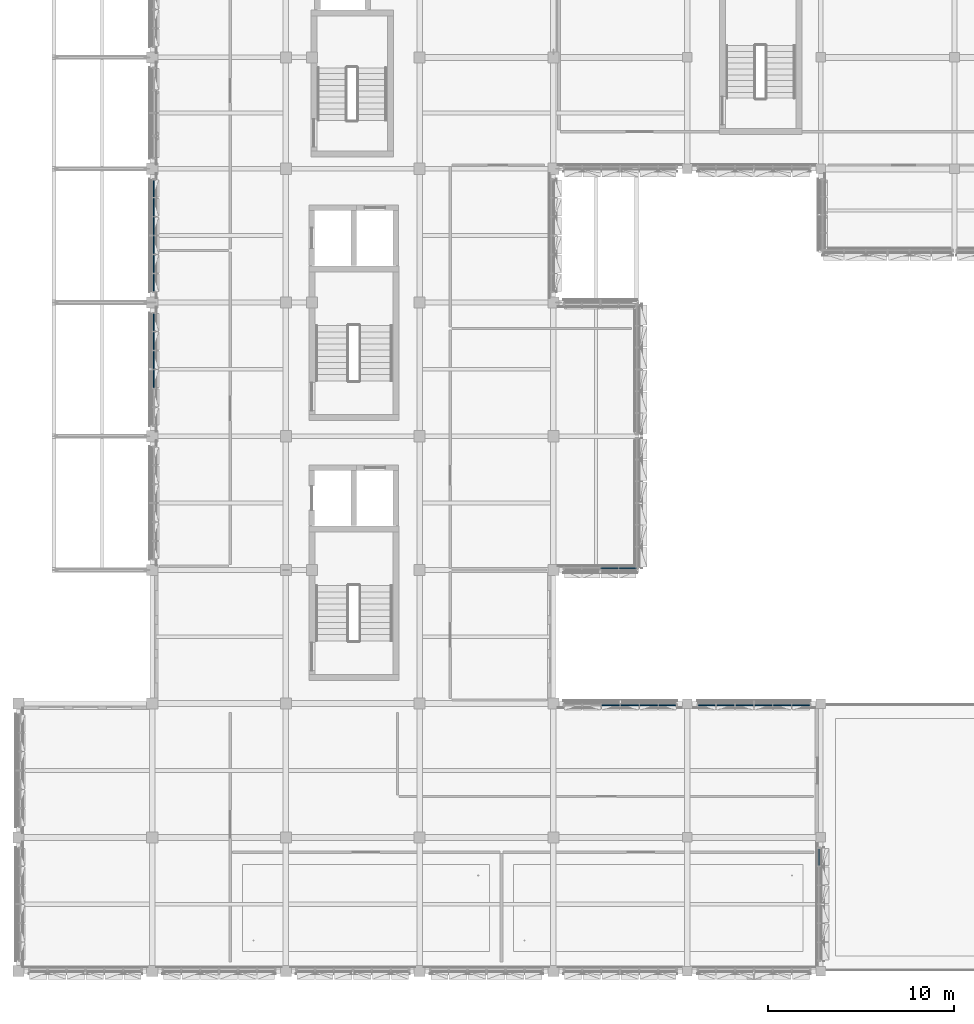
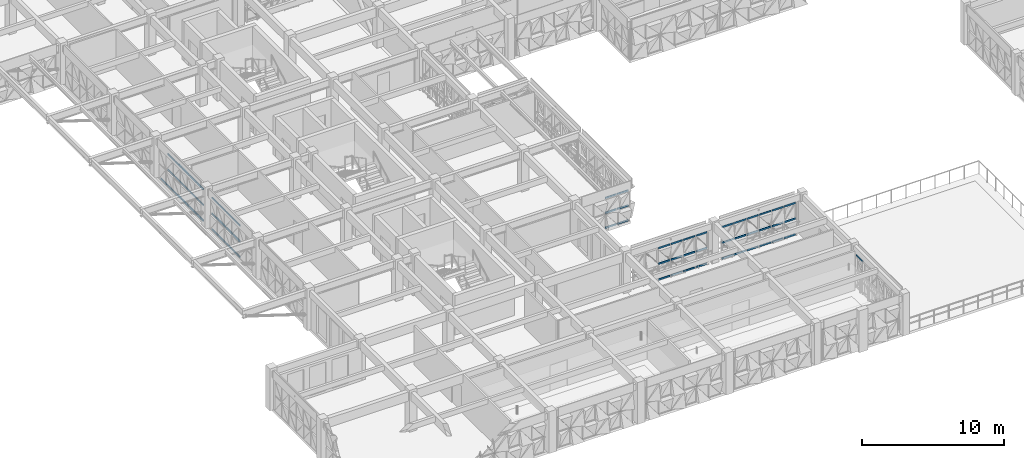
# One storey, part 21 of 99: 65 members, 6 elements without a shape of their own.
"""IFC4 building model written with IfcOpenShell, lengths in metres."""

from ifc_helpers import new_model, si_unit, direction, frame, origin, origin_2d, place, context, subcontext, project, spatial, rectangle, extrude, material, material_profile, profile_set, type_object, element, aggregate, save


model = new_model("IFC4")

# Units and contexts
model_context = context("Model", 3, precision=1e-05, world=origin(), true_north=direction((0.0, 1.0)))
body_context = subcontext(model_context, "Body", "Model", "MODEL_VIEW")
ifc_project = project(units=[si_unit("LENGTHUNIT", "METRE"), si_unit("AREAUNIT", "SQUARE_METRE"), si_unit("VOLUMEUNIT", "CUBIC_METRE"), si_unit("PLANEANGLEUNIT", "RADIAN"), si_unit("MASSUNIT", "GRAM", prefix="KILO")], contexts=[model_context])

# Site, building, storey
site_placement = place(None, origin())
site = spatial("IfcSite", under=ifc_project, at=site_placement, CompositionType="ELEMENT")
building_placement = place(site_placement, origin())
building = spatial("IfcBuilding", under=site, at=building_placement, Name="Alvorim Cloister Faculty of Sciences", CompositionType="ELEMENT")
storey_placement = place(building_placement, frame((0.0, 0.0, 12.14990234375)))
storey = spatial("IfcBuildingStorey", under=building, at=storey_placement, Name="L03", CompositionType="ELEMENT", Elevation=12.14990234375)

# Curtain wall, members
ifc_material_1 = material(Name="Aluminium and Low-E Glass Curtain Wall", Category="aluminium")
curtain_wall_type_1 = type_object("IfcCurtainWallType", Name="CW-TRI-6120x2850", PredefinedType="USERDEFINED", material=ifc_material_1)
curtain_wall_1_placement = place(storey_placement, origin())
curtain_wall_1 = element("IfcCurtainWall", 1, at=curtain_wall_1_placement, inside=storey, type_object=curtain_wall_type_1, Name="L03 Diagonal Cassette Curtain Wall CW-0101", ObjectType="UNITISED CURTAIN WALL", PredefinedType="USERDEFINED")
ifc_material_2 = material(Name="Aluminium Alloy 6063-T6", Category="aluminium")
ifc_material_profile = material_profile(ifc_material_2, rectangle(XDim=0.06494140625, YDim=0.139892578125, at=origin_2d()), Name="ALU-TRN-65x140")
ifc_profile_set = profile_set([ifc_material_profile], Name="Aluminium Alloy 6063-T6")
member_type = type_object("IfcMemberType", Name="CW-TRN-65x140", PredefinedType="USERDEFINED", material=ifc_profile_set)
member_1_placement = place(storey_placement, frame((7.2900390625, 31.41259765625, 0.070068359375), z_axis=(0.0, 1.0, 0.0), x_axis=(-1.0, 0.0, 0.0)))
member_1 = element("IfcMember", 2, at=member_1_placement, type_object=member_type, Name="CW-0101 Transom 3.1", ObjectType="TRANSOM", PredefinedType="USERDEFINED", context=body_context, shape_type="SweptSolid", body=[
    extrude(rectangle(XDim=0.06494140625, YDim=0.139892578125, at=origin_2d()), origin(), (0.0, 0.0, 1.0), 0.954833984375),
])
member_2_placement = place(storey_placement, frame((7.2900390625, 31.41259765625, 1.425048828125), z_axis=(0.0, 1.0, 0.0), x_axis=(-1.0, 0.0, 0.0)))
member_2 = element("IfcMember", 3, at=member_2_placement, type_object=member_type, Name="CW-0101 Transom 3.2", ObjectType="TRANSOM", PredefinedType="USERDEFINED", context=body_context, shape_type="SweptSolid", body=[
    extrude(rectangle(XDim=0.06494140625, YDim=0.139892578125, at=origin_2d()), origin(), (0.0, 0.0, 1.0), 0.954833984375),
])
member_3_placement = place(storey_placement, frame((7.2900390625, 31.41259765625, 2.780029296875), z_axis=(0.0, 1.0, 0.0), x_axis=(-1.0, 0.0, 0.0)))
member_3 = element("IfcMember", 4, at=member_3_placement, type_object=member_type, Name="CW-0101 Transom 3.3", ObjectType="TRANSOM", PredefinedType="USERDEFINED", context=body_context, shape_type="SweptSolid", body=[
    extrude(rectangle(XDim=0.06494140625, YDim=0.139892578125, at=origin_2d()), origin(), (0.0, 0.0, 1.0), 0.954833984375),
])
member_4_placement = place(storey_placement, frame((7.2900390625, 32.4326171875, 0.070068359375), z_axis=(0.0, 1.0, 0.0), x_axis=(-1.0, 0.0, 0.0)))
member_4 = element("IfcMember", 5, at=member_4_placement, type_object=member_type, Name="CW-0101 Transom 4.1", ObjectType="TRANSOM", PredefinedType="USERDEFINED", context=body_context, shape_type="SweptSolid", body=[
    extrude(rectangle(XDim=0.06494140625, YDim=0.139892578125, at=origin_2d()), origin(), (0.0, 0.0, 1.0), 0.954833984375),
])
member_5_placement = place(storey_placement, frame((7.2900390625, 32.4326171875, 1.425048828125), z_axis=(0.0, 1.0, 0.0), x_axis=(-1.0, 0.0, 0.0)))
member_5 = element("IfcMember", 6, at=member_5_placement, type_object=member_type, Name="CW-0101 Transom 4.2", ObjectType="TRANSOM", PredefinedType="USERDEFINED", context=body_context, shape_type="SweptSolid", body=[
    extrude(rectangle(XDim=0.06494140625, YDim=0.139892578125, at=origin_2d()), origin(), (0.0, 0.0, 1.0), 0.954833984375),
])
member_6_placement = place(storey_placement, frame((7.2900390625, 32.4326171875, 2.780029296875), z_axis=(0.0, 1.0, 0.0), x_axis=(-1.0, 0.0, 0.0)))
member_6 = element("IfcMember", 7, at=member_6_placement, type_object=member_type, Name="CW-0101 Transom 4.3", ObjectType="TRANSOM", PredefinedType="USERDEFINED", context=body_context, shape_type="SweptSolid", body=[
    extrude(rectangle(XDim=0.06494140625, YDim=0.139892578125, at=origin_2d()), origin(), (0.0, 0.0, 1.0), 0.954833984375),
])
member_7_placement = place(storey_placement, frame((7.2900390625, 33.452392578125, 0.070068359375), z_axis=(0.0, 1.0, 0.0), x_axis=(-1.0, 0.0, 0.0)))
member_7 = element("IfcMember", 8, at=member_7_placement, type_object=member_type, Name="CW-0101 Transom 5.1", ObjectType="TRANSOM", PredefinedType="USERDEFINED", context=body_context, shape_type="SweptSolid", body=[
    extrude(rectangle(XDim=0.06494140625, YDim=0.139892578125, at=origin_2d()), origin(), (0.0, 0.0, 1.0), 0.955078125),
])
member_8_placement = place(storey_placement, frame((7.2900390625, 33.452392578125, 1.425048828125), z_axis=(0.0, 1.0, 0.0), x_axis=(-1.0, 0.0, 0.0)))
member_8 = element("IfcMember", 9, at=member_8_placement, type_object=member_type, Name="CW-0101 Transom 5.2", ObjectType="TRANSOM", PredefinedType="USERDEFINED", context=body_context, shape_type="SweptSolid", body=[
    extrude(rectangle(XDim=0.06494140625, YDim=0.139892578125, at=origin_2d()), origin(), (0.0, 0.0, 1.0), 0.955078125),
])
member_9_placement = place(storey_placement, frame((7.2900390625, 33.452392578125, 2.780029296875), z_axis=(0.0, 1.0, 0.0), x_axis=(-1.0, 0.0, 0.0)))
member_9 = element("IfcMember", 10, at=member_9_placement, type_object=member_type, Name="CW-0101 Transom 5.3", ObjectType="TRANSOM", PredefinedType="USERDEFINED", context=body_context, shape_type="SweptSolid", body=[
    extrude(rectangle(XDim=0.06494140625, YDim=0.139892578125, at=origin_2d()), origin(), (0.0, 0.0, 1.0), 0.955078125),
])
member_10_placement = place(storey_placement, frame((7.2900390625, 34.472412109375, 0.070068359375), z_axis=(0.0, 1.0, 0.0), x_axis=(-1.0, 0.0, 0.0)))
member_10 = element("IfcMember", 11, at=member_10_placement, type_object=member_type, Name="CW-0101 Transom 6.1", ObjectType="TRANSOM", PredefinedType="USERDEFINED", context=body_context, shape_type="SweptSolid", body=[
    extrude(rectangle(XDim=0.06494140625, YDim=0.139892578125, at=origin_2d()), origin(), (0.0, 0.0, 1.0), 0.922607421875),
])
member_11_placement = place(storey_placement, frame((7.2900390625, 34.472412109375, 1.425048828125), z_axis=(0.0, 1.0, 0.0), x_axis=(-1.0, 0.0, 0.0)))
member_11 = element("IfcMember", 12, at=member_11_placement, type_object=member_type, Name="CW-0101 Transom 6.2", ObjectType="TRANSOM", PredefinedType="USERDEFINED", context=body_context, shape_type="SweptSolid", body=[
    extrude(rectangle(XDim=0.06494140625, YDim=0.139892578125, at=origin_2d()), origin(), (0.0, 0.0, 1.0), 0.922607421875),
])
member_12_placement = place(storey_placement, frame((7.2900390625, 34.472412109375, 2.780029296875), z_axis=(0.0, 1.0, 0.0), x_axis=(-1.0, 0.0, 0.0)))
member_12 = element("IfcMember", 13, at=member_12_placement, type_object=member_type, Name="CW-0101 Transom 6.3", ObjectType="TRANSOM", PredefinedType="USERDEFINED", context=body_context, shape_type="SweptSolid", body=[
    extrude(rectangle(XDim=0.06494140625, YDim=0.139892578125, at=origin_2d()), origin(), (0.0, 0.0, 1.0), 0.922607421875),
])
aggregate(curtain_wall_1, [member_1, member_2, member_3, member_4, member_5, member_6, member_7, member_8, member_9, member_10, member_11, member_12])

curtain_wall_2_placement = place(storey_placement, origin())
curtain_wall_2 = element("IfcCurtainWall", 14, at=curtain_wall_2_placement, inside=storey, type_object=curtain_wall_type_1, Name="L03 Diagonal Cassette Curtain Wall CW-0102", ObjectType="UNITISED CURTAIN WALL", PredefinedType="USERDEFINED")
member_13_placement = place(storey_placement, frame((7.2900390625, 36.60498046875, 0.070068359375), z_axis=(0.0, 1.0, 0.0), x_axis=(-1.0, 0.0, 0.0)))
member_13 = element("IfcMember", 15, at=member_13_placement, type_object=member_type, Name="CW-0102 Transom 1.1", ObjectType="TRANSOM", PredefinedType="USERDEFINED", context=body_context, shape_type="SweptSolid", body=[
    extrude(rectangle(XDim=0.06494140625, YDim=0.139892578125, at=origin_2d()), origin(), (0.0, 0.0, 1.0), 0.922607421875),
])
member_14_placement = place(storey_placement, frame((7.2900390625, 36.60498046875, 1.425048828125), z_axis=(0.0, 1.0, 0.0), x_axis=(-1.0, 0.0, 0.0)))
member_14 = element("IfcMember", 16, at=member_14_placement, type_object=member_type, Name="CW-0102 Transom 1.2", ObjectType="TRANSOM", PredefinedType="USERDEFINED", context=body_context, shape_type="SweptSolid", body=[
    extrude(rectangle(XDim=0.06494140625, YDim=0.139892578125, at=origin_2d()), origin(), (0.0, 0.0, 1.0), 0.922607421875),
])
member_15_placement = place(storey_placement, frame((7.2900390625, 36.60498046875, 2.780029296875), z_axis=(0.0, 1.0, 0.0), x_axis=(-1.0, 0.0, 0.0)))
member_15 = element("IfcMember", 17, at=member_15_placement, type_object=member_type, Name="CW-0102 Transom 1.3", ObjectType="TRANSOM", PredefinedType="USERDEFINED", context=body_context, shape_type="SweptSolid", body=[
    extrude(rectangle(XDim=0.06494140625, YDim=0.139892578125, at=origin_2d()), origin(), (0.0, 0.0, 1.0), 0.922607421875),
])
member_16_placement = place(storey_placement, frame((7.2900390625, 37.592529296875, 0.070068359375), z_axis=(0.0, 1.0, 0.0), x_axis=(-1.0, 0.0, 0.0)))
member_16 = element("IfcMember", 18, at=member_16_placement, type_object=member_type, Name="CW-0102 Transom 2.1", ObjectType="TRANSOM", PredefinedType="USERDEFINED", context=body_context, shape_type="SweptSolid", body=[
    extrude(rectangle(XDim=0.06494140625, YDim=0.139892578125, at=origin_2d()), origin(), (0.0, 0.0, 1.0), 0.955078125),
])
member_17_placement = place(storey_placement, frame((7.2900390625, 37.592529296875, 1.425048828125), z_axis=(0.0, 1.0, 0.0), x_axis=(-1.0, 0.0, 0.0)))
member_17 = element("IfcMember", 19, at=member_17_placement, type_object=member_type, Name="CW-0102 Transom 2.2", ObjectType="TRANSOM", PredefinedType="USERDEFINED", context=body_context, shape_type="SweptSolid", body=[
    extrude(rectangle(XDim=0.06494140625, YDim=0.139892578125, at=origin_2d()), origin(), (0.0, 0.0, 1.0), 0.955078125),
])
member_18_placement = place(storey_placement, frame((7.2900390625, 37.592529296875, 2.780029296875), z_axis=(0.0, 1.0, 0.0), x_axis=(-1.0, 0.0, 0.0)))
member_18 = element("IfcMember", 20, at=member_18_placement, type_object=member_type, Name="CW-0102 Transom 2.3", ObjectType="TRANSOM", PredefinedType="USERDEFINED", context=body_context, shape_type="SweptSolid", body=[
    extrude(rectangle(XDim=0.06494140625, YDim=0.139892578125, at=origin_2d()), origin(), (0.0, 0.0, 1.0), 0.955078125),
])
member_19_placement = place(storey_placement, frame((7.2900390625, 38.612548828125, 0.070068359375), z_axis=(0.0, 1.0, 0.0), x_axis=(-1.0, 0.0, 0.0)))
member_19 = element("IfcMember", 21, at=member_19_placement, type_object=member_type, Name="CW-0102 Transom 3.1", ObjectType="TRANSOM", PredefinedType="USERDEFINED", context=body_context, shape_type="SweptSolid", body=[
    extrude(rectangle(XDim=0.06494140625, YDim=0.139892578125, at=origin_2d()), origin(), (0.0, 0.0, 1.0), 0.954833984375),
])
member_20_placement = place(storey_placement, frame((7.2900390625, 38.612548828125, 1.425048828125), z_axis=(0.0, 1.0, 0.0), x_axis=(-1.0, 0.0, 0.0)))
member_20 = element("IfcMember", 22, at=member_20_placement, type_object=member_type, Name="CW-0102 Transom 3.2", ObjectType="TRANSOM", PredefinedType="USERDEFINED", context=body_context, shape_type="SweptSolid", body=[
    extrude(rectangle(XDim=0.06494140625, YDim=0.139892578125, at=origin_2d()), origin(), (0.0, 0.0, 1.0), 0.954833984375),
])
member_21_placement = place(storey_placement, frame((7.2900390625, 38.612548828125, 2.780029296875), z_axis=(0.0, 1.0, 0.0), x_axis=(-1.0, 0.0, 0.0)))
member_21 = element("IfcMember", 23, at=member_21_placement, type_object=member_type, Name="CW-0102 Transom 3.3", ObjectType="TRANSOM", PredefinedType="USERDEFINED", context=body_context, shape_type="SweptSolid", body=[
    extrude(rectangle(XDim=0.06494140625, YDim=0.139892578125, at=origin_2d()), origin(), (0.0, 0.0, 1.0), 0.954833984375),
])
member_22_placement = place(storey_placement, frame((7.2900390625, 39.632568359375, 0.070068359375), z_axis=(0.0, 1.0, 0.0), x_axis=(-1.0, 0.0, 0.0)))
member_22 = element("IfcMember", 24, at=member_22_placement, type_object=member_type, Name="CW-0102 Transom 4.1", ObjectType="TRANSOM", PredefinedType="USERDEFINED", context=body_context, shape_type="SweptSolid", body=[
    extrude(rectangle(XDim=0.06494140625, YDim=0.139892578125, at=origin_2d()), origin(), (0.0, 0.0, 1.0), 0.954833984375),
])
member_23_placement = place(storey_placement, frame((7.2900390625, 39.632568359375, 1.425048828125), z_axis=(0.0, 1.0, 0.0), x_axis=(-1.0, 0.0, 0.0)))
member_23 = element("IfcMember", 25, at=member_23_placement, type_object=member_type, Name="CW-0102 Transom 4.2", ObjectType="TRANSOM", PredefinedType="USERDEFINED", context=body_context, shape_type="SweptSolid", body=[
    extrude(rectangle(XDim=0.06494140625, YDim=0.139892578125, at=origin_2d()), origin(), (0.0, 0.0, 1.0), 0.954833984375),
])
member_24_placement = place(storey_placement, frame((7.2900390625, 39.632568359375, 2.780029296875), z_axis=(0.0, 1.0, 0.0), x_axis=(-1.0, 0.0, 0.0)))
member_24 = element("IfcMember", 26, at=member_24_placement, type_object=member_type, Name="CW-0102 Transom 4.3", ObjectType="TRANSOM", PredefinedType="USERDEFINED", context=body_context, shape_type="SweptSolid", body=[
    extrude(rectangle(XDim=0.06494140625, YDim=0.139892578125, at=origin_2d()), origin(), (0.0, 0.0, 1.0), 0.954833984375),
])
member_25_placement = place(storey_placement, frame((7.2900390625, 40.652587890625, 0.070068359375), z_axis=(0.0, 1.0, 0.0), x_axis=(-1.0, 0.0, 0.0)))
member_25 = element("IfcMember", 27, at=member_25_placement, type_object=member_type, Name="CW-0102 Transom 5.1", ObjectType="TRANSOM", PredefinedType="USERDEFINED", context=body_context, shape_type="SweptSolid", body=[
    extrude(rectangle(XDim=0.06494140625, YDim=0.139892578125, at=origin_2d()), origin(), (0.0, 0.0, 1.0), 0.954833984375),
])
member_26_placement = place(storey_placement, frame((7.2900390625, 40.652587890625, 1.425048828125), z_axis=(0.0, 1.0, 0.0), x_axis=(-1.0, 0.0, 0.0)))
member_26 = element("IfcMember", 28, at=member_26_placement, type_object=member_type, Name="CW-0102 Transom 5.2", ObjectType="TRANSOM", PredefinedType="USERDEFINED", context=body_context, shape_type="SweptSolid", body=[
    extrude(rectangle(XDim=0.06494140625, YDim=0.139892578125, at=origin_2d()), origin(), (0.0, 0.0, 1.0), 0.954833984375),
])
member_27_placement = place(storey_placement, frame((7.2900390625, 40.652587890625, 2.780029296875), z_axis=(0.0, 1.0, 0.0), x_axis=(-1.0, 0.0, 0.0)))
member_27 = element("IfcMember", 29, at=member_27_placement, type_object=member_type, Name="CW-0102 Transom 5.3", ObjectType="TRANSOM", PredefinedType="USERDEFINED", context=body_context, shape_type="SweptSolid", body=[
    extrude(rectangle(XDim=0.06494140625, YDim=0.139892578125, at=origin_2d()), origin(), (0.0, 0.0, 1.0), 0.954833984375),
])
member_28_placement = place(storey_placement, frame((7.2900390625, 41.672607421875, 0.070068359375), z_axis=(0.0, 1.0, 0.0), x_axis=(-1.0, 0.0, 0.0)))
member_28 = element("IfcMember", 30, at=member_28_placement, type_object=member_type, Name="CW-0102 Transom 6.1", ObjectType="TRANSOM", PredefinedType="USERDEFINED", context=body_context, shape_type="SweptSolid", body=[
    extrude(rectangle(XDim=0.06494140625, YDim=0.139892578125, at=origin_2d()), origin(), (0.0, 0.0, 1.0), 0.92236328125),
])
aggregate(curtain_wall_2, [member_13, member_14, member_15, member_16, member_17, member_18, member_19, member_20, member_21, member_22, member_23, member_24, member_25, member_26, member_27, member_28])

curtain_wall_type_2 = type_object("IfcCurtainWallType", Name="CW-TRI-3980x2706", PredefinedType="USERDEFINED", material=ifc_material_1)
curtain_wall_3_placement = place(storey_placement, origin())
curtain_wall_3 = element("IfcCurtainWall", 31, at=curtain_wall_3_placement, inside=storey, type_object=curtain_wall_type_2, Name="L03 Diagonal Cassette Curtain Wall CW-0143", ObjectType="UNITISED CURTAIN WALL", PredefinedType="USERDEFINED")
member_29_placement = place(storey_placement, frame((31.362548828125, 21.68994140625, 0.070068359375), z_axis=(1.0, 0.0, 0.0), x_axis=(0.0, 1.0, 0.0)))
member_29 = element("IfcMember", 32, at=member_29_placement, type_object=member_type, Name="CW-0143 Transom 3.1", ObjectType="TRANSOM", PredefinedType="USERDEFINED", context=body_context, shape_type="SweptSolid", body=[
    extrude(rectangle(XDim=0.06494140625, YDim=0.139892578125, at=origin_2d()), origin(), (0.0, 0.0, 1.0), 0.929931640625),
])
member_30_placement = place(storey_placement, frame((31.362548828125, 21.68994140625, 1.35302734375), z_axis=(1.0, 0.0, 0.0), x_axis=(0.0, 1.0, 0.0)))
member_30 = element("IfcMember", 33, at=member_30_placement, type_object=member_type, Name="CW-0143 Transom 3.2", ObjectType="TRANSOM", PredefinedType="USERDEFINED", context=body_context, shape_type="SweptSolid", body=[
    extrude(rectangle(XDim=0.06494140625, YDim=0.139892578125, at=origin_2d()), origin(), (0.0, 0.0, 1.0), 0.929931640625),
])
member_31_placement = place(storey_placement, frame((31.362548828125, 21.68994140625, 2.635986328125), z_axis=(1.0, 0.0, 0.0), x_axis=(0.0, 1.0, 0.0)))
member_31 = element("IfcMember", 34, at=member_31_placement, type_object=member_type, Name="CW-0143 Transom 3.3", ObjectType="TRANSOM", PredefinedType="USERDEFINED", context=body_context, shape_type="SweptSolid", body=[
    extrude(rectangle(XDim=0.06494140625, YDim=0.139892578125, at=origin_2d()), origin(), (0.0, 0.0, 1.0), 0.929931640625),
])
member_32_placement = place(storey_placement, frame((32.357421875, 21.68994140625, 0.070068359375), z_axis=(1.0, 0.0, 0.0), x_axis=(0.0, 1.0, 0.0)))
member_32 = element("IfcMember", 35, at=member_32_placement, type_object=member_type, Name="CW-0143 Transom 4.1", ObjectType="TRANSOM", PredefinedType="USERDEFINED", context=body_context, shape_type="SweptSolid", body=[
    extrude(rectangle(XDim=0.06494140625, YDim=0.139892578125, at=origin_2d()), origin(), (0.0, 0.0, 1.0), 0.8974609375),
])
member_33_placement = place(storey_placement, frame((32.357421875, 21.68994140625, 1.35302734375), z_axis=(1.0, 0.0, 0.0), x_axis=(0.0, 1.0, 0.0)))
member_33 = element("IfcMember", 36, at=member_33_placement, type_object=member_type, Name="CW-0143 Transom 4.2", ObjectType="TRANSOM", PredefinedType="USERDEFINED", context=body_context, shape_type="SweptSolid", body=[
    extrude(rectangle(XDim=0.06494140625, YDim=0.139892578125, at=origin_2d()), origin(), (0.0, 0.0, 1.0), 0.8974609375),
])
member_34_placement = place(storey_placement, frame((32.357421875, 21.68994140625, 2.635986328125), z_axis=(1.0, 0.0, 0.0), x_axis=(0.0, 1.0, 0.0)))
member_34 = element("IfcMember", 37, at=member_34_placement, type_object=member_type, Name="CW-0143 Transom 4.3", ObjectType="TRANSOM", PredefinedType="USERDEFINED", context=body_context, shape_type="SweptSolid", body=[
    extrude(rectangle(XDim=0.06494140625, YDim=0.139892578125, at=origin_2d()), origin(), (0.0, 0.0, 1.0), 0.8974609375),
])
aggregate(curtain_wall_3, [member_29, member_30, member_31, member_32, member_33, member_34])

curtain_wall_4_placement = place(storey_placement, origin())
curtain_wall_4 = element("IfcCurtainWall", 38, at=curtain_wall_4_placement, inside=storey, type_object=curtain_wall_type_1, Name="L03 Diagonal Cassette Curtain Wall CW-0144", ObjectType="UNITISED CURTAIN WALL", PredefinedType="USERDEFINED")
member_35_placement = place(storey_placement, frame((31.41259765625, 14.31005859375, 0.070068359375), z_axis=(1.0, 0.0, 0.0), x_axis=(0.0, 1.0, 0.0)))
member_35 = element("IfcMember", 39, at=member_35_placement, type_object=member_type, Name="CW-0144 Transom 3.1", ObjectType="TRANSOM", PredefinedType="USERDEFINED", context=body_context, shape_type="SweptSolid", body=[
    extrude(rectangle(XDim=0.06494140625, YDim=0.139892578125, at=origin_2d()), origin(), (0.0, 0.0, 1.0), 0.954833984375),
])
member_36_placement = place(storey_placement, frame((31.41259765625, 14.31005859375, 1.425048828125), z_axis=(1.0, 0.0, 0.0), x_axis=(0.0, 1.0, 0.0)))
member_36 = element("IfcMember", 40, at=member_36_placement, type_object=member_type, Name="CW-0144 Transom 3.2", ObjectType="TRANSOM", PredefinedType="USERDEFINED", context=body_context, shape_type="SweptSolid", body=[
    extrude(rectangle(XDim=0.06494140625, YDim=0.139892578125, at=origin_2d()), origin(), (0.0, 0.0, 1.0), 0.954833984375),
])
member_37_placement = place(storey_placement, frame((31.41259765625, 14.31005859375, 2.780029296875), z_axis=(1.0, 0.0, 0.0), x_axis=(0.0, 1.0, 0.0)))
member_37 = element("IfcMember", 41, at=member_37_placement, type_object=member_type, Name="CW-0144 Transom 3.3", ObjectType="TRANSOM", PredefinedType="USERDEFINED", context=body_context, shape_type="SweptSolid", body=[
    extrude(rectangle(XDim=0.06494140625, YDim=0.139892578125, at=origin_2d()), origin(), (0.0, 0.0, 1.0), 0.954833984375),
])
member_38_placement = place(storey_placement, frame((32.4326171875, 14.31005859375, 0.070068359375), z_axis=(1.0, 0.0, 0.0), x_axis=(0.0, 1.0, 0.0)))
member_38 = element("IfcMember", 42, at=member_38_placement, type_object=member_type, Name="CW-0144 Transom 4.1", ObjectType="TRANSOM", PredefinedType="USERDEFINED", context=body_context, shape_type="SweptSolid", body=[
    extrude(rectangle(XDim=0.06494140625, YDim=0.139892578125, at=origin_2d()), origin(), (0.0, 0.0, 1.0), 0.954833984375),
])
member_39_placement = place(storey_placement, frame((32.4326171875, 14.31005859375, 1.425048828125), z_axis=(1.0, 0.0, 0.0), x_axis=(0.0, 1.0, 0.0)))
member_39 = element("IfcMember", 43, at=member_39_placement, type_object=member_type, Name="CW-0144 Transom 4.2", ObjectType="TRANSOM", PredefinedType="USERDEFINED", context=body_context, shape_type="SweptSolid", body=[
    extrude(rectangle(XDim=0.06494140625, YDim=0.139892578125, at=origin_2d()), origin(), (0.0, 0.0, 1.0), 0.954833984375),
])
member_40_placement = place(storey_placement, frame((32.4326171875, 14.31005859375, 2.780029296875), z_axis=(1.0, 0.0, 0.0), x_axis=(0.0, 1.0, 0.0)))
member_40 = element("IfcMember", 44, at=member_40_placement, type_object=member_type, Name="CW-0144 Transom 4.3", ObjectType="TRANSOM", PredefinedType="USERDEFINED", context=body_context, shape_type="SweptSolid", body=[
    extrude(rectangle(XDim=0.06494140625, YDim=0.139892578125, at=origin_2d()), origin(), (0.0, 0.0, 1.0), 0.954833984375),
])
member_41_placement = place(storey_placement, frame((33.452392578125, 14.31005859375, 0.070068359375), z_axis=(1.0, 0.0, 0.0), x_axis=(0.0, 1.0, 0.0)))
member_41 = element("IfcMember", 45, at=member_41_placement, type_object=member_type, Name="CW-0144 Transom 5.1", ObjectType="TRANSOM", PredefinedType="USERDEFINED", context=body_context, shape_type="SweptSolid", body=[
    extrude(rectangle(XDim=0.06494140625, YDim=0.139892578125, at=origin_2d()), origin(), (0.0, 0.0, 1.0), 0.955078125),
])
member_42_placement = place(storey_placement, frame((33.452392578125, 14.31005859375, 1.425048828125), z_axis=(1.0, 0.0, 0.0), x_axis=(0.0, 1.0, 0.0)))
member_42 = element("IfcMember", 46, at=member_42_placement, type_object=member_type, Name="CW-0144 Transom 5.2", ObjectType="TRANSOM", PredefinedType="USERDEFINED", context=body_context, shape_type="SweptSolid", body=[
    extrude(rectangle(XDim=0.06494140625, YDim=0.139892578125, at=origin_2d()), origin(), (0.0, 0.0, 1.0), 0.955078125),
])
member_43_placement = place(storey_placement, frame((33.452392578125, 14.31005859375, 2.780029296875), z_axis=(1.0, 0.0, 0.0), x_axis=(0.0, 1.0, 0.0)))
member_43 = element("IfcMember", 47, at=member_43_placement, type_object=member_type, Name="CW-0144 Transom 5.3", ObjectType="TRANSOM", PredefinedType="USERDEFINED", context=body_context, shape_type="SweptSolid", body=[
    extrude(rectangle(XDim=0.06494140625, YDim=0.139892578125, at=origin_2d()), origin(), (0.0, 0.0, 1.0), 0.955078125),
])
member_44_placement = place(storey_placement, frame((34.472412109375, 14.31005859375, 0.070068359375), z_axis=(1.0, 0.0, 0.0), x_axis=(0.0, 1.0, 0.0)))
member_44 = element("IfcMember", 48, at=member_44_placement, type_object=member_type, Name="CW-0144 Transom 6.1", ObjectType="TRANSOM", PredefinedType="USERDEFINED", context=body_context, shape_type="SweptSolid", body=[
    extrude(rectangle(XDim=0.06494140625, YDim=0.139892578125, at=origin_2d()), origin(), (0.0, 0.0, 1.0), 0.922607421875),
])
member_45_placement = place(storey_placement, frame((34.472412109375, 14.31005859375, 1.425048828125), z_axis=(1.0, 0.0, 0.0), x_axis=(0.0, 1.0, 0.0)))
member_45 = element("IfcMember", 49, at=member_45_placement, type_object=member_type, Name="CW-0144 Transom 6.2", ObjectType="TRANSOM", PredefinedType="USERDEFINED", context=body_context, shape_type="SweptSolid", body=[
    extrude(rectangle(XDim=0.06494140625, YDim=0.139892578125, at=origin_2d()), origin(), (0.0, 0.0, 1.0), 0.922607421875),
])
member_46_placement = place(storey_placement, frame((34.472412109375, 14.31005859375, 2.780029296875), z_axis=(1.0, 0.0, 0.0), x_axis=(0.0, 1.0, 0.0)))
member_46 = element("IfcMember", 50, at=member_46_placement, type_object=member_type, Name="CW-0144 Transom 6.3", ObjectType="TRANSOM", PredefinedType="USERDEFINED", context=body_context, shape_type="SweptSolid", body=[
    extrude(rectangle(XDim=0.06494140625, YDim=0.139892578125, at=origin_2d()), origin(), (0.0, 0.0, 1.0), 0.922607421875),
])
aggregate(curtain_wall_4, [member_35, member_36, member_37, member_38, member_39, member_40, member_41, member_42, member_43, member_44, member_45, member_46])

curtain_wall_5_placement = place(storey_placement, origin())
curtain_wall_5 = element("IfcCurtainWall", 51, at=curtain_wall_5_placement, inside=storey, type_object=curtain_wall_type_1, Name="L03 Diagonal Cassette Curtain Wall CW-0145", ObjectType="UNITISED CURTAIN WALL", PredefinedType="USERDEFINED")
member_47_placement = place(storey_placement, frame((36.60498046875, 14.31005859375, 0.070068359375), z_axis=(1.0, 0.0, 0.0), x_axis=(0.0, 1.0, 0.0)))
member_47 = element("IfcMember", 52, at=member_47_placement, type_object=member_type, Name="CW-0145 Transom 1.1", ObjectType="TRANSOM", PredefinedType="USERDEFINED", context=body_context, shape_type="SweptSolid", body=[
    extrude(rectangle(XDim=0.06494140625, YDim=0.139892578125, at=origin_2d()), origin(), (0.0, 0.0, 1.0), 0.922607421875),
])
member_48_placement = place(storey_placement, frame((36.60498046875, 14.31005859375, 1.425048828125), z_axis=(1.0, 0.0, 0.0), x_axis=(0.0, 1.0, 0.0)))
member_48 = element("IfcMember", 53, at=member_48_placement, type_object=member_type, Name="CW-0145 Transom 1.2", ObjectType="TRANSOM", PredefinedType="USERDEFINED", context=body_context, shape_type="SweptSolid", body=[
    extrude(rectangle(XDim=0.06494140625, YDim=0.139892578125, at=origin_2d()), origin(), (0.0, 0.0, 1.0), 0.922607421875),
])
member_49_placement = place(storey_placement, frame((36.60498046875, 14.31005859375, 2.780029296875), z_axis=(1.0, 0.0, 0.0), x_axis=(0.0, 1.0, 0.0)))
member_49 = element("IfcMember", 54, at=member_49_placement, type_object=member_type, Name="CW-0145 Transom 1.3", ObjectType="TRANSOM", PredefinedType="USERDEFINED", context=body_context, shape_type="SweptSolid", body=[
    extrude(rectangle(XDim=0.06494140625, YDim=0.139892578125, at=origin_2d()), origin(), (0.0, 0.0, 1.0), 0.922607421875),
])
member_50_placement = place(storey_placement, frame((37.592529296875, 14.31005859375, 0.070068359375), z_axis=(1.0, 0.0, 0.0), x_axis=(0.0, 1.0, 0.0)))
member_50 = element("IfcMember", 55, at=member_50_placement, type_object=member_type, Name="CW-0145 Transom 2.1", ObjectType="TRANSOM", PredefinedType="USERDEFINED", context=body_context, shape_type="SweptSolid", body=[
    extrude(rectangle(XDim=0.06494140625, YDim=0.139892578125, at=origin_2d()), origin(), (0.0, 0.0, 1.0), 0.955078125),
])
member_51_placement = place(storey_placement, frame((37.592529296875, 14.31005859375, 1.425048828125), z_axis=(1.0, 0.0, 0.0), x_axis=(0.0, 1.0, 0.0)))
member_51 = element("IfcMember", 56, at=member_51_placement, type_object=member_type, Name="CW-0145 Transom 2.2", ObjectType="TRANSOM", PredefinedType="USERDEFINED", context=body_context, shape_type="SweptSolid", body=[
    extrude(rectangle(XDim=0.06494140625, YDim=0.139892578125, at=origin_2d()), origin(), (0.0, 0.0, 1.0), 0.955078125),
])
member_52_placement = place(storey_placement, frame((37.592529296875, 14.31005859375, 2.780029296875), z_axis=(1.0, 0.0, 0.0), x_axis=(0.0, 1.0, 0.0)))
member_52 = element("IfcMember", 57, at=member_52_placement, type_object=member_type, Name="CW-0145 Transom 2.3", ObjectType="TRANSOM", PredefinedType="USERDEFINED", context=body_context, shape_type="SweptSolid", body=[
    extrude(rectangle(XDim=0.06494140625, YDim=0.139892578125, at=origin_2d()), origin(), (0.0, 0.0, 1.0), 0.955078125),
])
member_53_placement = place(storey_placement, frame((38.612548828125, 14.31005859375, 0.070068359375), z_axis=(1.0, 0.0, 0.0), x_axis=(0.0, 1.0, 0.0)))
member_53 = element("IfcMember", 58, at=member_53_placement, type_object=member_type, Name="CW-0145 Transom 3.1", ObjectType="TRANSOM", PredefinedType="USERDEFINED", context=body_context, shape_type="SweptSolid", body=[
    extrude(rectangle(XDim=0.06494140625, YDim=0.139892578125, at=origin_2d()), origin(), (0.0, 0.0, 1.0), 0.954833984375),
])
member_54_placement = place(storey_placement, frame((38.612548828125, 14.31005859375, 1.425048828125), z_axis=(1.0, 0.0, 0.0), x_axis=(0.0, 1.0, 0.0)))
member_54 = element("IfcMember", 59, at=member_54_placement, type_object=member_type, Name="CW-0145 Transom 3.2", ObjectType="TRANSOM", PredefinedType="USERDEFINED", context=body_context, shape_type="SweptSolid", body=[
    extrude(rectangle(XDim=0.06494140625, YDim=0.139892578125, at=origin_2d()), origin(), (0.0, 0.0, 1.0), 0.954833984375),
])
member_55_placement = place(storey_placement, frame((38.612548828125, 14.31005859375, 2.780029296875), z_axis=(1.0, 0.0, 0.0), x_axis=(0.0, 1.0, 0.0)))
member_55 = element("IfcMember", 60, at=member_55_placement, type_object=member_type, Name="CW-0145 Transom 3.3", ObjectType="TRANSOM", PredefinedType="USERDEFINED", context=body_context, shape_type="SweptSolid", body=[
    extrude(rectangle(XDim=0.06494140625, YDim=0.139892578125, at=origin_2d()), origin(), (0.0, 0.0, 1.0), 0.954833984375),
])
member_56_placement = place(storey_placement, frame((39.632568359375, 14.31005859375, 0.070068359375), z_axis=(1.0, 0.0, 0.0), x_axis=(0.0, 1.0, 0.0)))
member_56 = element("IfcMember", 61, at=member_56_placement, type_object=member_type, Name="CW-0145 Transom 4.1", ObjectType="TRANSOM", PredefinedType="USERDEFINED", context=body_context, shape_type="SweptSolid", body=[
    extrude(rectangle(XDim=0.06494140625, YDim=0.139892578125, at=origin_2d()), origin(), (0.0, 0.0, 1.0), 0.954833984375),
])
member_57_placement = place(storey_placement, frame((39.632568359375, 14.31005859375, 1.425048828125), z_axis=(1.0, 0.0, 0.0), x_axis=(0.0, 1.0, 0.0)))
member_57 = element("IfcMember", 62, at=member_57_placement, type_object=member_type, Name="CW-0145 Transom 4.2", ObjectType="TRANSOM", PredefinedType="USERDEFINED", context=body_context, shape_type="SweptSolid", body=[
    extrude(rectangle(XDim=0.06494140625, YDim=0.139892578125, at=origin_2d()), origin(), (0.0, 0.0, 1.0), 0.954833984375),
])
member_58_placement = place(storey_placement, frame((39.632568359375, 14.31005859375, 2.780029296875), z_axis=(1.0, 0.0, 0.0), x_axis=(0.0, 1.0, 0.0)))
member_58 = element("IfcMember", 63, at=member_58_placement, type_object=member_type, Name="CW-0145 Transom 4.3", ObjectType="TRANSOM", PredefinedType="USERDEFINED", context=body_context, shape_type="SweptSolid", body=[
    extrude(rectangle(XDim=0.06494140625, YDim=0.139892578125, at=origin_2d()), origin(), (0.0, 0.0, 1.0), 0.954833984375),
])
member_59_placement = place(storey_placement, frame((40.652587890625, 14.31005859375, 0.070068359375), z_axis=(1.0, 0.0, 0.0), x_axis=(0.0, 1.0, 0.0)))
member_59 = element("IfcMember", 64, at=member_59_placement, type_object=member_type, Name="CW-0145 Transom 5.1", ObjectType="TRANSOM", PredefinedType="USERDEFINED", context=body_context, shape_type="SweptSolid", body=[
    extrude(rectangle(XDim=0.06494140625, YDim=0.139892578125, at=origin_2d()), origin(), (0.0, 0.0, 1.0), 0.954833984375),
])
member_60_placement = place(storey_placement, frame((40.652587890625, 14.31005859375, 1.425048828125), z_axis=(1.0, 0.0, 0.0), x_axis=(0.0, 1.0, 0.0)))
member_60 = element("IfcMember", 65, at=member_60_placement, type_object=member_type, Name="CW-0145 Transom 5.2", ObjectType="TRANSOM", PredefinedType="USERDEFINED", context=body_context, shape_type="SweptSolid", body=[
    extrude(rectangle(XDim=0.06494140625, YDim=0.139892578125, at=origin_2d()), origin(), (0.0, 0.0, 1.0), 0.954833984375),
])
member_61_placement = place(storey_placement, frame((40.652587890625, 14.31005859375, 2.780029296875), z_axis=(1.0, 0.0, 0.0), x_axis=(0.0, 1.0, 0.0)))
member_61 = element("IfcMember", 66, at=member_61_placement, type_object=member_type, Name="CW-0145 Transom 5.3", ObjectType="TRANSOM", PredefinedType="USERDEFINED", context=body_context, shape_type="SweptSolid", body=[
    extrude(rectangle(XDim=0.06494140625, YDim=0.139892578125, at=origin_2d()), origin(), (0.0, 0.0, 1.0), 0.954833984375),
])
member_62_placement = place(storey_placement, frame((41.672607421875, 14.31005859375, 0.070068359375), z_axis=(1.0, 0.0, 0.0), x_axis=(0.0, 1.0, 0.0)))
member_62 = element("IfcMember", 67, at=member_62_placement, type_object=member_type, Name="CW-0145 Transom 6.1", ObjectType="TRANSOM", PredefinedType="USERDEFINED", context=body_context, shape_type="SweptSolid", body=[
    extrude(rectangle(XDim=0.06494140625, YDim=0.139892578125, at=origin_2d()), origin(), (0.0, 0.0, 1.0), 0.92236328125),
])
member_63_placement = place(storey_placement, frame((41.672607421875, 14.31005859375, 1.425048828125), z_axis=(1.0, 0.0, 0.0), x_axis=(0.0, 1.0, 0.0)))
member_63 = element("IfcMember", 68, at=member_63_placement, type_object=member_type, Name="CW-0145 Transom 6.2", ObjectType="TRANSOM", PredefinedType="USERDEFINED", context=body_context, shape_type="SweptSolid", body=[
    extrude(rectangle(XDim=0.06494140625, YDim=0.139892578125, at=origin_2d()), origin(), (0.0, 0.0, 1.0), 0.92236328125),
])
member_64_placement = place(storey_placement, frame((41.672607421875, 14.31005859375, 2.780029296875), z_axis=(1.0, 0.0, 0.0), x_axis=(0.0, 1.0, 0.0)))
member_64 = element("IfcMember", 69, at=member_64_placement, type_object=member_type, Name="CW-0145 Transom 6.3", ObjectType="TRANSOM", PredefinedType="USERDEFINED", context=body_context, shape_type="SweptSolid", body=[
    extrude(rectangle(XDim=0.06494140625, YDim=0.139892578125, at=origin_2d()), origin(), (0.0, 0.0, 1.0), 0.92236328125),
])
aggregate(curtain_wall_5, [member_47, member_48, member_49, member_50, member_51, member_52, member_53, member_54, member_55, member_56, member_57, member_58, member_59, member_60, member_61, member_62, member_63, member_64])

# Curtain wall, member
curtain_wall_6_placement = place(storey_placement, origin())
curtain_wall_6 = element("IfcCurtainWall", 70, at=curtain_wall_6_placement, inside=storey, type_object=curtain_wall_type_1, Name="L03 Diagonal Cassette Curtain Wall CW-0146", ObjectType="UNITISED CURTAIN WALL", PredefinedType="USERDEFINED")
member_65_placement = place(storey_placement, frame((43.110107421875, 5.672607421875, 2.780029296875), z_axis=(0.0, 1.0, 0.0), x_axis=(-1.0, 0.0, 0.0)))
member_65 = element("IfcMember", 71, at=member_65_placement, type_object=member_type, Name="CW-0146 Transom 6.3", ObjectType="TRANSOM", PredefinedType="USERDEFINED", context=body_context, shape_type="SweptSolid", body=[
    extrude(rectangle(XDim=0.06494140625, YDim=0.139892578125, at=origin_2d()), origin(), (0.0, 0.0, 1.0), 0.92236328125),
])
aggregate(curtain_wall_6, [member_65])

save(model, "model.ifc")
